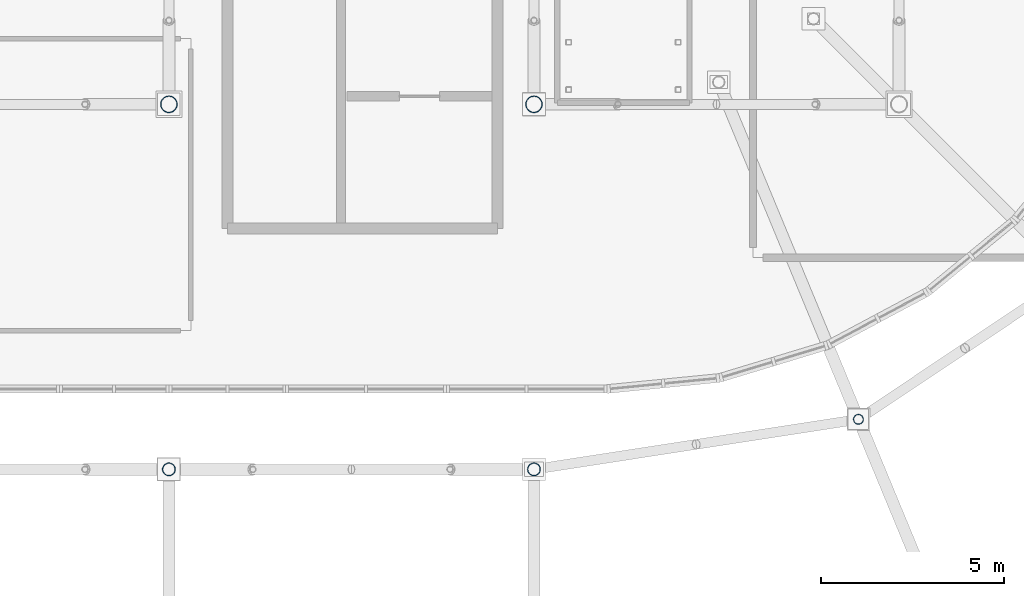
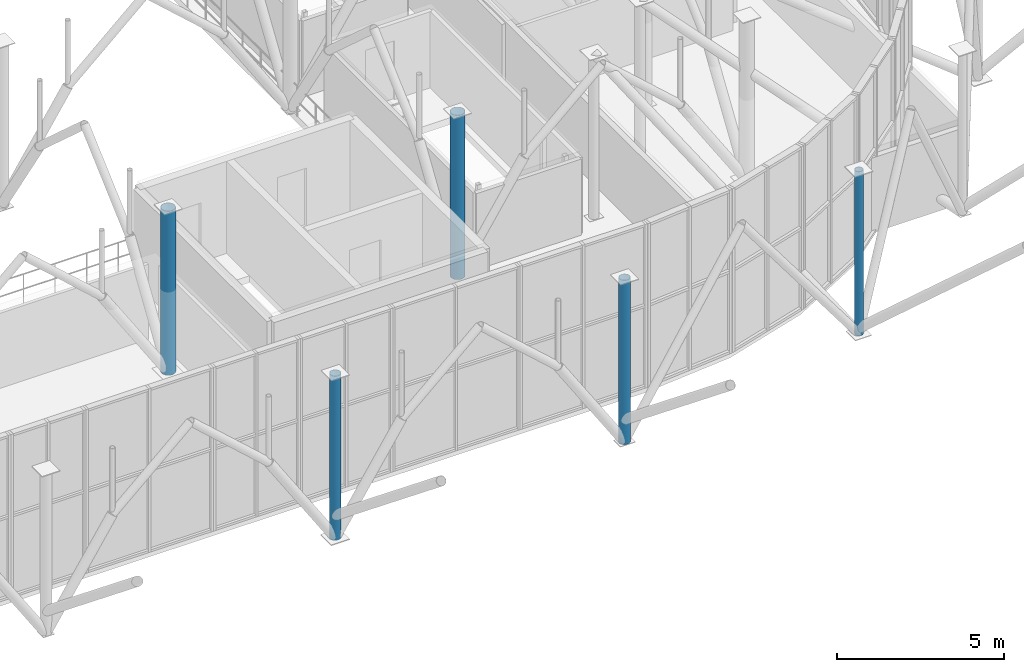
# One storey, part 8 of 109: 5 columns.
"""IFC4 building model written with IfcOpenShell, lengths in metres."""

import ifcopenshell
import ifcopenshell.guid

model = None  # the IFC model being written
_history = None  # IfcOwnerHistory: only IFC2X3 demands one
_inside = {}  # id of a spatial element -> (the spatial element, [elements in it])
_under = {}  # id of a project, library or spatial element -> (it, [spatial elements below it])
_declared = {}  # id of a project -> (the project, [libraries it declares])
_typed = {}  # id of a type object -> (the type object, [elements of that type])
_made_of = {}  # id of a material, layer set ... -> (it, [elements and type objects made of it])


def new_model(schema):
    """Start an empty IFC model of exactly this schema.

    Asked for "IFC4X3", IfcOpenShell would pick the latest addendum, in which some entities
    have other attributes; the version numbers below select the first issue.
    IFC2X3 requires an IfcOwnerHistory on every rooted entity: one is made here for all.
    """
    global model, _history
    if schema == "IFC4X3":
        model = ifcopenshell.file(schema_version=(4, 3, 0, 0))
    else:
        model = ifcopenshell.file(schema=schema)
    _inside.clear()
    _under.clear()
    _declared.clear()
    _typed.clear()
    _made_of.clear()
    _history = None
    if model.schema == "IFC2X3":
        org = make("IfcOrganization", Name="unknown")
        user = make(
            "IfcPersonAndOrganization",
            ThePerson=make("IfcPerson", FamilyName="unknown"),
            TheOrganization=org,
        )
        app = make(
            "IfcApplication",
            ApplicationDeveloper=org,
            Version="unknown",
            ApplicationFullName="unknown",
            ApplicationIdentifier="unknown",
        )
        _history = make(
            "IfcOwnerHistory",
            OwningUser=user,
            OwningApplication=app,
            ChangeAction="ADDED",
            CreationDate=0,
        )
    return model


def make(cls, **values):
    """One entity of the class cls with the attributes given. An attribute that is None is left unset."""
    return model.create_entity(
        cls, **{name: value for name, value in values.items() if value is not None}
    )


def rooted(cls, **values):
    """An entity with a GlobalId (a new one), such as an element, a storey or a relation."""
    return make(cls, GlobalId=ifcopenshell.guid.new(), OwnerHistory=_history, **values)


def si_unit(unit_type, name, prefix=None):
    """IfcSIUnit, for example si_unit("LENGTHUNIT", "METRE", prefix="MILLI")."""
    return make("IfcSIUnit", UnitType=unit_type, Prefix=prefix, Name=name)


def derived_unit(unit_type, elements):
    """IfcDerivedUnit: a product of units, each with its exponent."""
    return make(
        "IfcDerivedUnit",
        Elements=[
            make("IfcDerivedUnitElement", Unit=unit, Exponent=power)
            for unit, power in elements
        ],
        UnitType=unit_type,
    )


def assignment(units):
    """IfcUnitAssignment: the units of a project."""
    return None if units is None else make("IfcUnitAssignment", Units=units)


def point(xyz):
    """IfcCartesianPoint."""
    return None if xyz is None else make("IfcCartesianPoint", Coordinates=xyz)


def direction(xyz):
    """IfcDirection."""
    return None if xyz is None else make("IfcDirection", DirectionRatios=xyz)


def frame(location, z_axis=None, x_axis=None):
    """IfcAxis2Placement3D, a coordinate frame: its origin and axes. An axis left out is left unset."""
    return make(
        "IfcAxis2Placement3D",
        Location=point(location),
        Axis=direction(z_axis),
        RefDirection=direction(x_axis),
    )


def frame_2d(location, x_axis=None):
    """IfcAxis2Placement2D, a coordinate frame in the plane: its origin and x axis."""
    return make(
        "IfcAxis2Placement2D", Location=point(location), RefDirection=direction(x_axis)
    )


def origin():
    """The frame at (0, 0, 0) with its axes left unset."""
    return frame((0.0, 0.0, 0.0))


def origin_2d_with_axis():
    """The frame at (0, 0) in the plane with the x axis (1, 0) written out."""
    return frame_2d((0.0, 0.0), x_axis=(1.0, 0.0))


def place(relative_to, where):
    """IfcLocalPlacement: puts the frame where relative to a parent placement (None: the world)."""
    return make(
        "IfcLocalPlacement", PlacementRelTo=relative_to, RelativePlacement=where
    )


def context(
    kind, dimensions, precision=None, world=None, true_north=None, identifier=None
):
    """IfcGeometricRepresentationContext, for example the 3D "Model" context."""
    return make(
        "IfcGeometricRepresentationContext",
        ContextIdentifier=identifier,
        ContextType=kind,
        CoordinateSpaceDimension=dimensions,
        Precision=precision,
        WorldCoordinateSystem=world,
        TrueNorth=true_north,
    )


def subcontext(parent, identifier, kind, view, scale=None):
    """IfcGeometricRepresentationSubContext, for example "Body" below "Model"."""
    return make(
        "IfcGeometricRepresentationSubContext",
        ContextIdentifier=identifier,
        ContextType=kind,
        ParentContext=parent,
        TargetScale=scale,
        TargetView=view,
    )


def project(units=None, contexts=None):
    """IfcProject with its units and contexts."""
    return rooted(
        "IfcProject",
        Name="project",
        RepresentationContexts=contexts,
        UnitsInContext=assignment(units),
    )


def spatial(cls, under=None, at=None, **own):
    """A site, building, storey or space (cls), placed at a placement, below another one or the project."""
    s = rooted(cls, ObjectPlacement=at, **own)
    if under is not None:
        _under.setdefault(under.id(), (under, []))[1].append(s)
    return s


def profile(cls, at=None, kind="AREA", **sizes):
    """A parametric profile (cls). Its sizes go by their IFC names, for example OverallWidth=200.0."""
    return make(cls, ProfileType=kind, Position=at, **sizes)


def hollow_circle(**sizes):
    """IfcCircleHollowProfileDef."""
    return profile("IfcCircleHollowProfileDef", **sizes)


def extrude(swept, where, along, depth):
    """IfcExtrudedAreaSolid: the profile swept, set in the frame where, extruded along a direction by depth."""
    return make(
        "IfcExtrudedAreaSolid",
        SweptArea=swept,
        Position=where,
        ExtrudedDirection=direction(along),
        Depth=depth,
    )


def shape(context_of_items, identifier, shape_type, items):
    """IfcShapeRepresentation: the items that make up one representation, for example the "Body"."""
    return make(
        "IfcShapeRepresentation",
        ContextOfItems=context_of_items,
        RepresentationIdentifier=identifier,
        RepresentationType=shape_type,
        Items=items,
    )


def material(Name=None, Category=None):
    """IfcMaterial."""
    return make("IfcMaterial", Name=Name, Category=Category)


def material_profile(
    of_material, cross_section, Name=None, Category=None, Priority=None
):
    """IfcMaterialProfile: a cross section and its material."""
    return make(
        "IfcMaterialProfile",
        Name=Name,
        Material=of_material,
        Profile=cross_section,
        Priority=Priority,
        Category=Category,
    )


def profile_set(profiles, Name=None, composite=None):
    """IfcMaterialProfileSet."""
    return make(
        "IfcMaterialProfileSet",
        Name=Name,
        MaterialProfiles=profiles,
        CompositeProfile=composite,
    )


def made_of(thing, what):
    """Note that an element or type object is made of a material, layer set ...; save() writes the relation."""
    if what is not None:
        _made_of.setdefault(what.id(), (what, []))[1].append(thing)
    return thing


def type_object(cls, material=None, **own):
    """A type object (cls), such as IfcWallType, which elements share."""
    return made_of(rooted(cls, **own), material)


def element(
    cls,
    number,
    at=None,
    inside=None,
    cuts=None,
    type_object=None,
    material=None,
    context=None,
    identifier="Body",
    shape_type=None,
    held_by="IfcProductDefinitionShape",
    body=None,
    shapes=None,
    **own,
):
    """One element of the class cls, such as IfcWall. Its Tag is "e" and its number.

    at: its placement. inside: the storey or other place that contains it. cuts: it is an
    opening in that element (IfcRelVoidsElement). A single representation is given by context,
    identifier, shape_type and body (its items); several are given by shapes. held_by: the class
    of the entity that holds the representations. save() writes the other relations.
    """
    e = rooted(cls, Tag="e%d" % number, ObjectPlacement=at, **own)
    if body is not None:
        shapes = [shape(context, identifier, shape_type, body)]
    if shapes is not None:
        e.Representation = make(held_by, Representations=shapes)
    if inside is not None:
        _inside.setdefault(inside.id(), (inside, []))[1].append(e)
    if cuts is not None:
        rooted(
            "IfcRelVoidsElement", RelatingBuildingElement=cuts, RelatedOpeningElement=e
        )
    if type_object is not None:
        _typed.setdefault(type_object.id(), (type_object, []))[1].append(e)
    return made_of(e, material)


def aggregate(whole, parts):
    """IfcRelAggregates: a whole, such as a stair, and the parts it consists of."""
    return rooted("IfcRelAggregates", RelatingObject=whole, RelatedObjects=parts)


def save(model, path):
    """Write the relations noted so far, then the file.

    IfcRelAggregates (storeys below a building ...), IfcRelContainedInSpatialStructure (elements
    in a storey), IfcRelDefinesByType, IfcRelAssociatesMaterial and IfcRelDeclares: one each for
    every whole, place, type object, material and project.
    """
    for whole, parts in _under.values():
        aggregate(whole, parts)
    for where, things in _inside.values():
        rooted(
            "IfcRelContainedInSpatialStructure",
            RelatedElements=things,
            RelatingStructure=where,
        )
    for kind, things in _typed.values():
        rooted("IfcRelDefinesByType", RelatedObjects=things, RelatingType=kind)
    for what, things in _made_of.values():
        rooted("IfcRelAssociatesMaterial", RelatedObjects=things, RelatingMaterial=what)
    for by, libraries in _declared.values():
        rooted("IfcRelDeclares", RelatingContext=by, RelatedDefinitions=libraries)
    model.write(path)


model = new_model("IFC4")

# Units and contexts
model_context = context("Model", 3, precision=1e-05, world=origin(), true_north=direction((0.0, 1.0)))
body_context = subcontext(model_context, "Body", "Model", "MODEL_VIEW")
ifc_project = project(units=[si_unit("LENGTHUNIT", "METRE"), si_unit("AREAUNIT", "SQUARE_METRE"), si_unit("VOLUMEUNIT", "CUBIC_METRE"), si_unit("PLANEANGLEUNIT", "RADIAN"), si_unit("MASSUNIT", "GRAM", prefix="KILO"), derived_unit("THERMALTRANSMITTANCEUNIT", [(si_unit("POWERUNIT", "WATT"), 1), (si_unit("LENGTHUNIT", "METRE"), -2), (si_unit("THERMODYNAMICTEMPERATUREUNIT", "KELVIN"), -1)])], contexts=[model_context])

# Site, building, storey
site_placement = place(None, origin())
site = spatial("IfcSite", under=ifc_project, at=site_placement, CompositionType="ELEMENT")
building_placement = place(site_placement, origin())
building = spatial("IfcBuilding", under=site, at=building_placement, Name="Cinnabar Yard Market Hall", CompositionType="ELEMENT")
storey_placement = place(building_placement, frame((0.0, 0.0, 8.39990234375)))
storey = spatial("IfcBuildingStorey", under=building, at=storey_placement, Name="L02", CompositionType="ELEMENT", Elevation=8.39990234375)

# Columns
ifc_material = material(Name="Spotted-gum glulam-clad steel Grade 350 (350 MPa)", Category="steel")
ifc_material_profile_1 = material_profile(ifc_material, hollow_circle(Radius=0.228515625, WallThickness=0.0126953125, at=origin_2d_with_axis()), Name="457.0x12.7CHS")
ifc_profile_set_1 = profile_set([ifc_material_profile_1], Name="Spotted-gum glulam-clad steel Grade 350 (350 MPa)")
column_type_1 = type_object("IfcColumnType", Name="COL-C01", PredefinedType="COLUMN", material=ifc_profile_set_1)
for number, where, z_axis, x_axis, name in (
    (1, (136.0, 24.0, 0.0), (0.0, 0.0, 1.0), (1.0, 0.0, 0.0), "Tree Column V1I-07-01 L02"),
    (2, (146.0, 24.0, 0.0), (0.0, 0.0, 1.0), (1.0, 0.0, 0.0), "Tree Column V1I-08-01 L02"),
):
    element("IfcColumn", number, at=place(storey_placement, frame(where, z_axis=z_axis, x_axis=x_axis)), inside=storey, type_object=column_type_1, Name=name, PredefinedType="COLUMN", context=body_context, shape_type="SweptSolid", body=[
        extrude(hollow_circle(Radius=0.228515625, WallThickness=0.0126953125, at=origin_2d_with_axis()), origin(), (0.0, 0.0, 1.0), 6.0),
    ])
ifc_material_profile_2 = material_profile(ifc_material, hollow_circle(Radius=0.177734375, WallThickness=0.0126953125, at=origin_2d_with_axis()), Name="355.6x12.7CHS")
ifc_profile_set_2 = profile_set([ifc_material_profile_2], Name="Spotted-gum glulam-clad steel Grade 350 (350 MPa)")
column_type_2 = type_object("IfcColumnType", Name="COL-C02E", PredefinedType="COLUMN", material=ifc_profile_set_2)
for number, where, z_axis, x_axis, name in (
    (3, (136.0, 14.0, 0.0), (0.0, 0.0, 1.0), (1.0, 0.0, 0.0), "Tree Column V1S-06 L02"),
    (4, (146.0, 14.0, 0.0), (0.0, 0.0, 1.0), (1.0, 0.0, 0.0), "Tree Column V1S-07 L02"),
):
    element("IfcColumn", number, at=place(storey_placement, frame(where, z_axis=z_axis, x_axis=x_axis)), inside=storey, type_object=column_type_2, Name=name, PredefinedType="COLUMN", context=body_context, shape_type="SweptSolid", body=[
        extrude(hollow_circle(Radius=0.177734375, WallThickness=0.0126953125, at=origin_2d_with_axis()), origin(), (0.0, 0.0, 1.0), 6.0),
    ])
ifc_material_profile_3 = material_profile(ifc_material, hollow_circle(Radius=0.136474609375, WallThickness=0.00927734375, at=origin_2d_with_axis()), Name="273.1x9.3CHS")
ifc_profile_set_3 = profile_set([ifc_material_profile_3], Name="Spotted-gum glulam-clad steel Grade 350 (350 MPa)")
column_type_3 = type_object("IfcColumnType", Name="COL-C04E", PredefinedType="COLUMN", material=ifc_profile_set_3)
column_placement = place(storey_placement, frame((154.88818359375, 15.3701171875, 0.0), z_axis=(0.0, 0.0, 1.0), x_axis=(1.0, 0.0, 0.0)))
element("IfcColumn", 5, at=column_placement, inside=storey, type_object=column_type_3, Name="Tree Column V1C-SE2 L02", PredefinedType="COLUMN", context=body_context, shape_type="SweptSolid", body=[
    extrude(hollow_circle(Radius=0.136474609375, WallThickness=0.00927734375, at=origin_2d_with_axis()), origin(), (0.0, 0.0, 1.0), 6.0),
])

save(model, "model.ifc")
